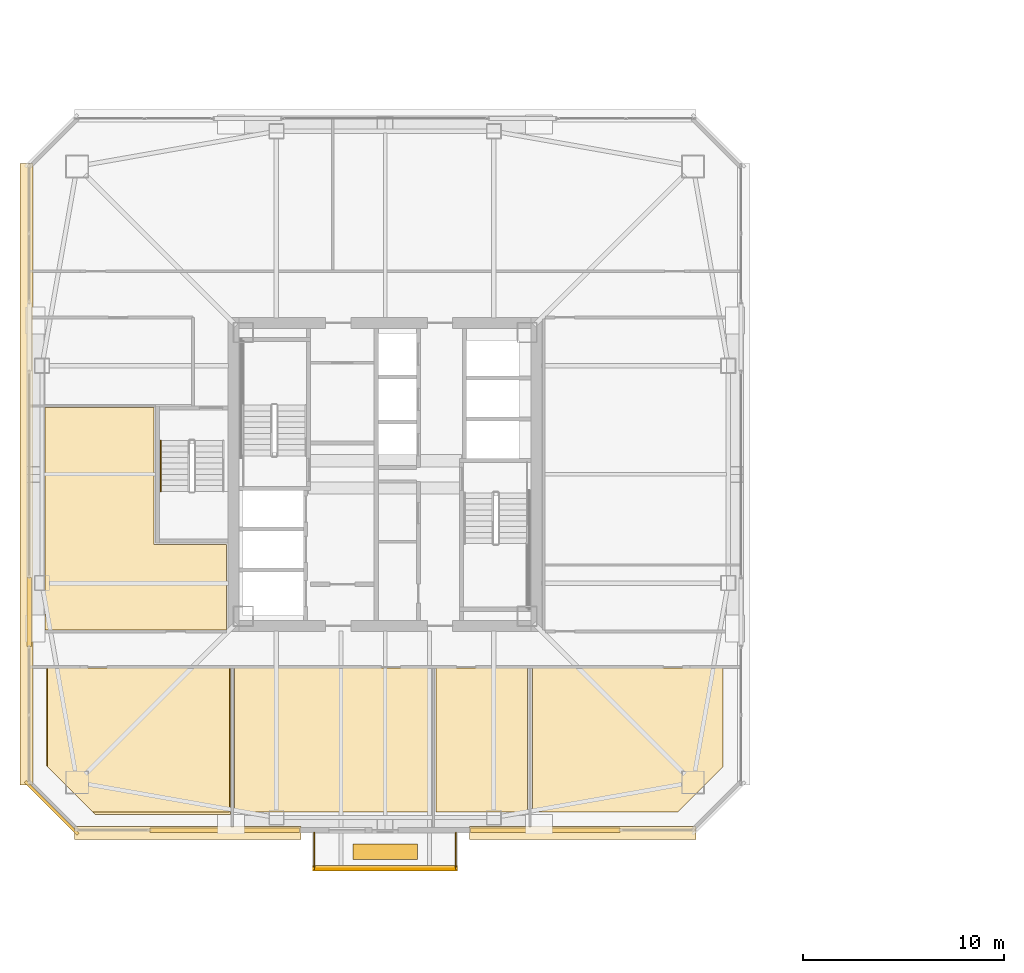
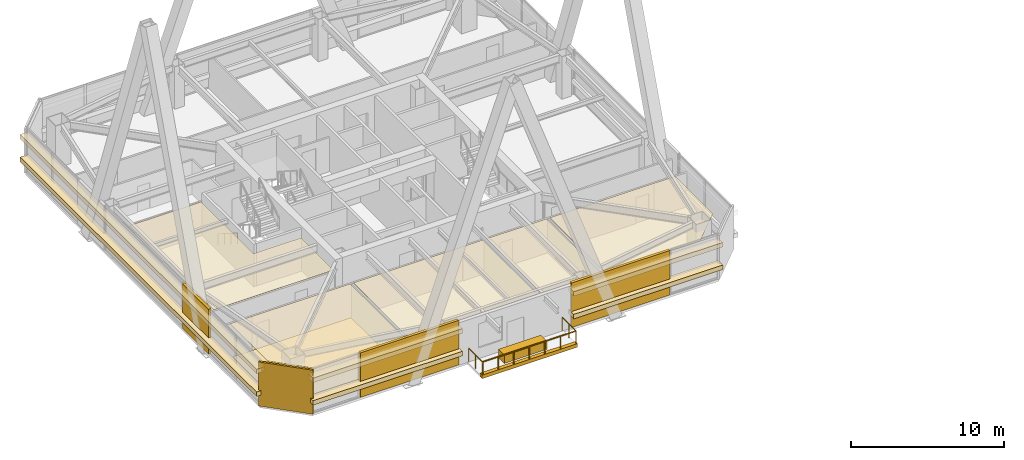
# One storey, part 50 of 55: 18 coverings, 4 railings.
"""IFC4 building model written with IfcOpenShell, lengths in metres."""

import ifcopenshell
import ifcopenshell.guid

model = None  # the IFC model being written
_history = None  # IfcOwnerHistory: only IFC2X3 demands one
_inside = {}  # id of a spatial element -> (the spatial element, [elements in it])
_under = {}  # id of a project, library or spatial element -> (it, [spatial elements below it])
_declared = {}  # id of a project -> (the project, [libraries it declares])
_typed = {}  # id of a type object -> (the type object, [elements of that type])
_made_of = {}  # id of a material, layer set ... -> (it, [elements and type objects made of it])


def new_model(schema):
    """Start an empty IFC model of exactly this schema.

    Asked for "IFC4X3", IfcOpenShell would pick the latest addendum, in which some entities
    have other attributes; the version numbers below select the first issue.
    IFC2X3 requires an IfcOwnerHistory on every rooted entity: one is made here for all.
    """
    global model, _history
    if schema == "IFC4X3":
        model = ifcopenshell.file(schema_version=(4, 3, 0, 0))
    else:
        model = ifcopenshell.file(schema=schema)
    _inside.clear()
    _under.clear()
    _declared.clear()
    _typed.clear()
    _made_of.clear()
    _history = None
    if model.schema == "IFC2X3":
        org = make("IfcOrganization", Name="unknown")
        user = make(
            "IfcPersonAndOrganization",
            ThePerson=make("IfcPerson", FamilyName="unknown"),
            TheOrganization=org,
        )
        app = make(
            "IfcApplication",
            ApplicationDeveloper=org,
            Version="unknown",
            ApplicationFullName="unknown",
            ApplicationIdentifier="unknown",
        )
        _history = make(
            "IfcOwnerHistory",
            OwningUser=user,
            OwningApplication=app,
            ChangeAction="ADDED",
            CreationDate=0,
        )
    return model


def make(cls, **values):
    """One entity of the class cls with the attributes given. An attribute that is None is left unset."""
    return model.create_entity(
        cls, **{name: value for name, value in values.items() if value is not None}
    )


def rooted(cls, **values):
    """An entity with a GlobalId (a new one), such as an element, a storey or a relation."""
    return make(cls, GlobalId=ifcopenshell.guid.new(), OwnerHistory=_history, **values)


def si_unit(unit_type, name, prefix=None):
    """IfcSIUnit, for example si_unit("LENGTHUNIT", "METRE", prefix="MILLI")."""
    return make("IfcSIUnit", UnitType=unit_type, Prefix=prefix, Name=name)


def assignment(units):
    """IfcUnitAssignment: the units of a project."""
    return None if units is None else make("IfcUnitAssignment", Units=units)


def point(xyz):
    """IfcCartesianPoint."""
    return None if xyz is None else make("IfcCartesianPoint", Coordinates=xyz)


def direction(xyz):
    """IfcDirection."""
    return None if xyz is None else make("IfcDirection", DirectionRatios=xyz)


def frame(location, z_axis=None, x_axis=None):
    """IfcAxis2Placement3D, a coordinate frame: its origin and axes. An axis left out is left unset."""
    return make(
        "IfcAxis2Placement3D",
        Location=point(location),
        Axis=direction(z_axis),
        RefDirection=direction(x_axis),
    )


def frame_2d(location, x_axis=None):
    """IfcAxis2Placement2D, a coordinate frame in the plane: its origin and x axis."""
    return make(
        "IfcAxis2Placement2D", Location=point(location), RefDirection=direction(x_axis)
    )


def origin():
    """The frame at (0, 0, 0) with its axes left unset."""
    return frame((0.0, 0.0, 0.0))


def origin_2d():
    """The frame at (0, 0) in the plane with its x axis left unset."""
    return frame_2d((0.0, 0.0))


def place(relative_to, where):
    """IfcLocalPlacement: puts the frame where relative to a parent placement (None: the world)."""
    return make(
        "IfcLocalPlacement", PlacementRelTo=relative_to, RelativePlacement=where
    )


def context(
    kind, dimensions, precision=None, world=None, true_north=None, identifier=None
):
    """IfcGeometricRepresentationContext, for example the 3D "Model" context."""
    return make(
        "IfcGeometricRepresentationContext",
        ContextIdentifier=identifier,
        ContextType=kind,
        CoordinateSpaceDimension=dimensions,
        Precision=precision,
        WorldCoordinateSystem=world,
        TrueNorth=true_north,
    )


def subcontext(parent, identifier, kind, view, scale=None):
    """IfcGeometricRepresentationSubContext, for example "Body" below "Model"."""
    return make(
        "IfcGeometricRepresentationSubContext",
        ContextIdentifier=identifier,
        ContextType=kind,
        ParentContext=parent,
        TargetScale=scale,
        TargetView=view,
    )


def project(units=None, contexts=None):
    """IfcProject with its units and contexts."""
    return rooted(
        "IfcProject",
        Name="project",
        RepresentationContexts=contexts,
        UnitsInContext=assignment(units),
    )


def spatial(cls, under=None, at=None, **own):
    """A site, building, storey or space (cls), placed at a placement, below another one or the project."""
    s = rooted(cls, ObjectPlacement=at, **own)
    if under is not None:
        _under.setdefault(under.id(), (under, []))[1].append(s)
    return s


def polyline(points):
    """IfcPolyline through the points."""
    return make("IfcPolyline", Points=[point(p) for p in points])


def profile(cls, at=None, kind="AREA", **sizes):
    """A parametric profile (cls). Its sizes go by their IFC names, for example OverallWidth=200.0."""
    return make(cls, ProfileType=kind, Position=at, **sizes)


def rectangle(**sizes):
    """IfcRectangleProfileDef."""
    return profile("IfcRectangleProfileDef", **sizes)


def outline(outer, holes=None, kind="AREA"):
    """IfcArbitraryClosedProfileDef: a profile drawn as a closed curve; with holes, ...WithVoids."""
    if holes is None:
        return make("IfcArbitraryClosedProfileDef", ProfileType=kind, OuterCurve=outer)
    return make(
        "IfcArbitraryProfileDefWithVoids",
        ProfileType=kind,
        OuterCurve=outer,
        InnerCurves=holes,
    )


def extrude(swept, where, along, depth):
    """IfcExtrudedAreaSolid: the profile swept, set in the frame where, extruded along a direction by depth."""
    return make(
        "IfcExtrudedAreaSolid",
        SweptArea=swept,
        Position=where,
        ExtrudedDirection=direction(along),
        Depth=depth,
    )


def shape(context_of_items, identifier, shape_type, items):
    """IfcShapeRepresentation: the items that make up one representation, for example the "Body"."""
    return make(
        "IfcShapeRepresentation",
        ContextOfItems=context_of_items,
        RepresentationIdentifier=identifier,
        RepresentationType=shape_type,
        Items=items,
    )


def material(Name=None, Category=None):
    """IfcMaterial."""
    return make("IfcMaterial", Name=Name, Category=Category)


def layer(
    of_material, thickness, ventilated=None, Name=None, Category=None, Priority=None
):
    """IfcMaterialLayer: one layer of a wall or slab, of a material (None: an air gap)."""
    return make(
        "IfcMaterialLayer",
        Material=of_material,
        LayerThickness=thickness,
        IsVentilated=ventilated,
        Name=Name,
        Category=Category,
        Priority=Priority,
    )


def layer_set(layers, Name=None):
    """IfcMaterialLayerSet."""
    return make("IfcMaterialLayerSet", MaterialLayers=layers, LayerSetName=Name)


def made_of(thing, what):
    """Note that an element or type object is made of a material, layer set ...; save() writes the relation."""
    if what is not None:
        _made_of.setdefault(what.id(), (what, []))[1].append(thing)
    return thing


def type_object(cls, material=None, **own):
    """A type object (cls), such as IfcWallType, which elements share."""
    return made_of(rooted(cls, **own), material)


def element(
    cls,
    number,
    at=None,
    inside=None,
    cuts=None,
    type_object=None,
    material=None,
    context=None,
    identifier="Body",
    shape_type=None,
    held_by="IfcProductDefinitionShape",
    body=None,
    shapes=None,
    **own,
):
    """One element of the class cls, such as IfcWall. Its Tag is "e" and its number.

    at: its placement. inside: the storey or other place that contains it. cuts: it is an
    opening in that element (IfcRelVoidsElement). A single representation is given by context,
    identifier, shape_type and body (its items); several are given by shapes. held_by: the class
    of the entity that holds the representations. save() writes the other relations.
    """
    e = rooted(cls, Tag="e%d" % number, ObjectPlacement=at, **own)
    if body is not None:
        shapes = [shape(context, identifier, shape_type, body)]
    if shapes is not None:
        e.Representation = make(held_by, Representations=shapes)
    if inside is not None:
        _inside.setdefault(inside.id(), (inside, []))[1].append(e)
    if cuts is not None:
        rooted(
            "IfcRelVoidsElement", RelatingBuildingElement=cuts, RelatedOpeningElement=e
        )
    if type_object is not None:
        _typed.setdefault(type_object.id(), (type_object, []))[1].append(e)
    return made_of(e, material)


def aggregate(whole, parts):
    """IfcRelAggregates: a whole, such as a stair, and the parts it consists of."""
    return rooted("IfcRelAggregates", RelatingObject=whole, RelatedObjects=parts)


def save(model, path):
    """Write the relations noted so far, then the file.

    IfcRelAggregates (storeys below a building ...), IfcRelContainedInSpatialStructure (elements
    in a storey), IfcRelDefinesByType, IfcRelAssociatesMaterial and IfcRelDeclares: one each for
    every whole, place, type object, material and project.
    """
    for whole, parts in _under.values():
        aggregate(whole, parts)
    for where, things in _inside.values():
        rooted(
            "IfcRelContainedInSpatialStructure",
            RelatedElements=things,
            RelatingStructure=where,
        )
    for kind, things in _typed.values():
        rooted("IfcRelDefinesByType", RelatedObjects=things, RelatingType=kind)
    for what, things in _made_of.values():
        rooted("IfcRelAssociatesMaterial", RelatedObjects=things, RelatingMaterial=what)
    for by, libraries in _declared.values():
        rooted("IfcRelDeclares", RelatingContext=by, RelatedDefinitions=libraries)
    model.write(path)


model = new_model("IFC4")

# Units and contexts
model_context = context("Model", 3, precision=1e-05, world=origin(), true_north=direction((0.0, 1.0)))
body_context = subcontext(model_context, "Body", "Model", "MODEL_VIEW")
ifc_project = project(units=[si_unit("LENGTHUNIT", "METRE"), si_unit("AREAUNIT", "SQUARE_METRE"), si_unit("VOLUMEUNIT", "CUBIC_METRE"), si_unit("PLANEANGLEUNIT", "RADIAN"), si_unit("MASSUNIT", "GRAM", prefix="KILO")], contexts=[model_context])

# Site, building, storey
site_placement = place(None, origin())
site = spatial("IfcSite", under=ifc_project, at=site_placement, CompositionType="ELEMENT")
building_placement = place(site_placement, origin())
building = spatial("IfcBuilding", under=site, at=building_placement, Name="Tashvorn Skyway Center", CompositionType="ELEMENT")
storey_placement = place(building_placement, frame((0.0, 0.0, 178.300048828125)))
storey = spatial("IfcBuildingStorey", under=building, at=storey_placement, Name="L48", CompositionType="ELEMENT", Elevation=178.300048828125)

# Coverings
ifc_material_1 = material(Name="Precast concrete C40/50", Category="concrete")
ifc_layer_1 = layer(ifc_material_1, 0.199951171875)
ifc_layer_set_1 = layer_set([ifc_layer_1], Name="Precast concrete C40/50")
covering_type_1 = type_object("IfcCoveringType", Name="COV-BRACE-CLAD", PredefinedType="CLADDING", material=ifc_layer_set_1)
for number, where, z_axis, x_axis, name in (
    (1, (49.9599609375, 14.320068359375, 0.0), (0.0, 0.0, 1.0), (-1.0, 0.0, 0.0), "Tower 1 L48 South Curtain Wall L Mega-Brace Cladding Band 1"),
    (2, (34.0400390625, 14.320068359375, 0.0), (0.0, 0.0, 1.0), (-1.0, 0.0, 0.0), "Tower 1 L48 South Curtain Wall R Mega-Brace Cladding Band 1"),
):
    element("IfcCovering", number, at=place(storey_placement, frame(where, z_axis=z_axis, x_axis=x_axis)), inside=storey, type_object=covering_type_1, Name=name, PredefinedType="CLADDING", context=body_context, shape_type="SweptSolid", body=[
        extrude(rectangle(XDim=7.419921875, YDim=0.199951171875, at=origin_2d()), origin(), (0.0, 0.0, 1.0), 3.550048828125),
    ])
covering_1_placement = place(storey_placement, frame((24.320068359375, 25.16455078125, 0.0), z_axis=(0.0, 0.0, 1.0), x_axis=(0.0, 1.0, 0.0)))
element("IfcCovering", 3, at=covering_1_placement, inside=storey, type_object=covering_type_1, Name="Tower 1 L48 West Unitised Curtain Wall Mega-Brace Cladding Band 1", PredefinedType="CLADDING", context=body_context, shape_type="SweptSolid", body=[
    extrude(rectangle(XDim=3.417724609375, YDim=0.199951171875, at=origin_2d()), origin(), (0.0, 0.0, 1.0), 3.550048828125),
])
ifc_material_2 = material(Name="Mineral-fibre acoustic ceiling tile on suspended grid")
ifc_layer_2 = layer(ifc_material_2, 0.02001953125)
ifc_layer_set_2 = layer_set([ifc_layer_2], Name="Mineral-fibre acoustic ceiling tile on suspended grid")
covering_type_2 = type_object("IfcCoveringType", Name="COV-CEIL-20", PredefinedType="CEILING", material=ifc_layer_set_2)
covering_2_placement = place(storey_placement, frame((0.0, 0.0, 2.702880859375)))
element("IfcCovering", 4, at=covering_2_placement, inside=storey, type_object=covering_type_2, Name="Tower 1 L48 Open Plan Office Acoustic Ceiling", PredefinedType="CEILING", context=body_context, shape_type="SweptSolid", body=[
    extrude(outline(polyline([(25.219970703125, 22.389892578125), (34.280029296875, 22.389892578125), (34.280029296875, 15.219970703125), (27.47998046875, 15.219970703125), (25.219970703125, 17.47998046875), (25.219970703125, 22.389892578125)])), origin(), (0.0, 0.0, 1.0), 0.02001953125),
])
covering_3_placement = place(storey_placement, frame((0.0, 0.0, 2.702880859375)))
element("IfcCovering", 5, at=covering_3_placement, inside=storey, type_object=covering_type_2, Name="Tower 1 L48 Boardroom Acoustic Ceiling", PredefinedType="CEILING", context=body_context, shape_type="SweptSolid", body=[
    extrude(outline(polyline([(34.52001953125, 22.389892578125), (44.280029296875, 22.389892578125), (44.280029296875, 15.219970703125), (34.52001953125, 15.219970703125), (34.52001953125, 22.389892578125)])), origin(), (0.0, 0.0, 1.0), 0.02001953125),
])
covering_4_placement = place(storey_placement, frame((0.0, 0.0, 2.702880859375)))
element("IfcCovering", 6, at=covering_4_placement, inside=storey, type_object=covering_type_2, Name="Tower 1 L48 Boardroom Acoustic Ceiling", PredefinedType="CEILING", context=body_context, shape_type="SweptSolid", body=[
    extrude(outline(polyline([(44.52001953125, 22.389892578125), (49.080078125, 22.389892578125), (49.080078125, 15.219970703125), (44.52001953125, 15.219970703125), (44.52001953125, 22.389892578125)])), origin(), (0.0, 0.0, 1.0), 0.02001953125),
])
covering_5_placement = place(storey_placement, frame((0.0, 0.0, 2.702880859375)))
element("IfcCovering", 7, at=covering_5_placement, inside=storey, type_object=covering_type_2, Name="Tower 1 L48 Staff Fitness Club Acoustic Ceiling", PredefinedType="CEILING", context=body_context, shape_type="SweptSolid", body=[
    extrude(outline(polyline([(49.320068359375, 15.219970703125), (49.320068359375, 22.389892578125), (58.780029296875, 22.389892578125), (58.780029296875, 17.47998046875), (56.52001953125, 15.219970703125), (49.320068359375, 15.219970703125)])), origin(), (0.0, 0.0, 1.0), 0.02001953125),
])
covering_6_placement = place(storey_placement, frame((0.0, 0.0, 2.702880859375)))
element("IfcCovering", 8, at=covering_6_placement, inside=storey, type_object=covering_type_2, Name="Tower 1 L48 Public Restroom Acoustic Ceiling", PredefinedType="CEILING", context=body_context, shape_type="SweptSolid", body=[
    extrude(outline(polyline([(34.1201171875, 24.280029296875), (25.10009765625, 24.280029296875), (25.10009765625, 28.52001953125), (25.10009765625, 35.320068359375), (30.52001953125, 35.320068359375), (30.52001953125, 28.52001953125), (34.1201171875, 28.52001953125), (34.1201171875, 24.280029296875)])), origin(), (0.0, 0.0, 1.0), 0.02001953125),
])
ifc_material_3 = material(Name="Polished Mojave desert-aggregate terrazzo and cover plate")
ifc_layer_3 = layer(ifc_material_3, 0.0400390625)
ifc_layer_set_3 = layer_set([ifc_layer_3], Name="Polished Mojave desert-aggregate terrazzo and cover plate")
covering_type_3 = type_object("IfcCoveringType", Name="COV-FLR-40", PredefinedType="FLOORING", material=ifc_layer_set_3)
covering_7_placement = place(storey_placement, origin())
element("IfcCovering", 9, at=covering_7_placement, inside=storey, type_object=covering_type_3, Name="Tower 1 L48 Open Plan Office Finish Flooring", PredefinedType="FLOORING", context=body_context, shape_type="SweptSolid", body=[
    extrude(outline(polyline([(27.60009765625, 15.10009765625), (25.179931640625, 17.52001953125), (25.179931640625, 22.35009765625), (34.320068359375, 22.35009765625), (34.320068359375, 15.10009765625), (27.60009765625, 15.10009765625)])), origin(), (0.0, 0.0, 1.0), 0.0400390625),
])
ifc_material_4 = material(Name="Perforated ceramic-coated bronze aluminium solar screen", Category="aluminium")
ifc_layer_4 = layer(ifc_material_4, 0.85009765625)
ifc_layer_set_4 = layer_set([ifc_layer_4], Name="Perforated ceramic-coated bronze aluminium solar screen")
covering_type_4 = type_object("IfcCoveringType", Name="COV-SOLAR-BAND", PredefinedType="CLADDING", material=ifc_layer_set_4)
for number, where, z_axis, x_axis, name in (
    (10, (51.81494140625, 14.179931640625, 0.919921875), (0.0, 0.0, 1.0), (-1.0, 0.0, 0.0), "L48 Perforated Ceramic-Metal Solar Screen Louvre Band South 1"),
    (11, (51.81494140625, 14.179931640625, 2.7197265625), (0.0, 0.0, 1.0), (-1.0, 0.0, 0.0), "L48 Perforated Ceramic-Metal Solar Screen Louvre Band South 2"),
    (12, (32.18505859375, 14.179931640625, 0.919921875), (0.0, 0.0, 1.0), (-1.0, 0.0, 0.0), "L48 Perforated Ceramic-Metal Solar Screen Louvre Band South 1"),
    (13, (32.18505859375, 14.179931640625, 2.7197265625), (0.0, 0.0, 1.0), (-1.0, 0.0, 0.0), "L48 Perforated Ceramic-Metal Solar Screen Louvre Band South 2"),
):
    element("IfcCovering", number, at=place(storey_placement, frame(where, z_axis=z_axis, x_axis=x_axis)), inside=storey, type_object=covering_type_4, Name=name, PredefinedType="CLADDING", context=body_context, shape_type="SweptSolid", body=[
        extrude(rectangle(XDim=11.25, YDim=0.639892578125, at=origin_2d()), origin(), (0.0, 0.0, 1.0), 0.360107421875),
    ])
for number, where, z_axis, x_axis, name in (
    (14, (24.179931640625, 32.0, 0.919921875), (0.0, 0.0, 1.0), (0.0, 1.0, 0.0), "L48 Perforated Ceramic-Metal Solar Screen Louvre Band West 1"),
    (15, (24.179931640625, 32.0, 2.7197265625), (0.0, 0.0, 1.0), (0.0, 1.0, 0.0), "L48 Perforated Ceramic-Metal Solar Screen Louvre Band West 2"),
):
    element("IfcCovering", number, at=place(storey_placement, frame(where, z_axis=z_axis, x_axis=x_axis)), inside=storey, type_object=covering_type_4, Name=name, PredefinedType="CLADDING", context=body_context, shape_type="SweptSolid", body=[
        extrude(rectangle(XDim=30.8798828125, YDim=0.639892578125, at=origin_2d()), origin(), (0.0, 0.0, 1.0), 0.360107421875),
    ])
ifc_layer_5 = layer(ifc_material_1, 0.35009765625)
ifc_layer_set_5 = layer_set([ifc_layer_5], Name="Precast concrete C40/50")
covering_type_5 = type_object("IfcCoveringType", Name="COV-STONE-TRIM", PredefinedType="CLADDING", material=ifc_layer_set_5)
covering_8_placement = place(storey_placement, frame((42.0, 12.43994140625, -0.16015625), z_axis=(0.0, 0.0, 1.0), x_axis=(-1.0, 0.0, 0.0)))
element("IfcCovering", 16, at=covering_8_placement, inside=storey, type_object=covering_type_5, Name="Tower 1 L48 Spiral Terrace Terracotta Fascia", PredefinedType="CLADDING", context=body_context, shape_type="SweptSolid", body=[
    extrude(rectangle(XDim=7.199951171875, YDim=0.280029296875, at=origin_2d()), origin(), (0.0, 0.0, 1.0), 0.280029296875),
])
covering_9_placement = place(storey_placement, frame((42.0, 13.25, 0.0), z_axis=(0.0, 0.0, 1.0), x_axis=(-1.0, 0.0, 0.0)))
element("IfcCovering", 17, at=covering_9_placement, inside=storey, type_object=covering_type_5, Name="Tower 1 L48 Spiral Terrace Planter", PredefinedType="CLADDING", context=body_context, shape_type="SweptSolid", body=[
    extrude(rectangle(XDim=3.199951171875, YDim=0.75, at=origin_2d()), origin(), (0.0, 0.0, 1.0), 0.679931640625),
])
covering_10_placement = place(storey_placement, frame((25.429931640625, 15.429931640625, 0.02001953125), z_axis=(0.0, 0.0, 1.0), x_axis=(-0.707106781187, 0.707106781187, 0.0)))
element("IfcCovering", 18, at=covering_10_placement, inside=storey, type_object=covering_type_5, Name="Tower 1 L48 SW Mojave Limestone Corner Quoin", PredefinedType="CLADDING", context=body_context, shape_type="SweptSolid", body=[
    extrude(rectangle(XDim=3.695556640625, YDim=0.139892578125, at=origin_2d()), origin(), (0.0, 0.0, 1.0), 3.510009765625),
])

# Railings
ifc_material_5 = material(Name="Galvanized steel S355", Category="steel")
railing_type_1 = type_object("IfcRailingType", Name="RAIL-GUARD-1120", PredefinedType="GUARDRAIL", material=ifc_material_5)
railing_1_placement = place(storey_placement, frame((38.47998046875, 14.199951171875, 0.0)))
element("IfcRailing", 19, at=railing_1_placement, inside=storey, type_object=railing_type_1, Name="L48 Tower 1 Terrace Guardrail 01", PredefinedType="GUARDRAIL", context=body_context, shape_type="SweptSolid", body=[
    extrude(rectangle(XDim=0.048095703125, YDim=0.048095703125, at=origin_2d()), frame((0.0, 0.0, 1.09619140625), z_axis=(0.0, -1.0, 0.0), x_axis=(1.0, 0.0, 0.0)), (0.0, 0.0, 1.0), 1.820068359375),
    extrude(rectangle(XDim=0.0419921875, YDim=0.0419921875, at=origin_2d()), origin(), (0.0, 0.0, 1.0), 1.072021484375),
    extrude(rectangle(XDim=0.0419921875, YDim=0.0419921875, at=origin_2d()), frame((0.0, -0.91015625, 0.0)), (0.0, 0.0, 1.0), 1.072021484375),
    extrude(rectangle(XDim=0.0419921875, YDim=0.0419921875, at=origin_2d()), frame((0.0, -1.820068359375, 0.0)), (0.0, 0.0, 1.0), 1.072021484375),
])
railing_2_placement = place(storey_placement, frame((38.47998046875, 12.3798828125, 0.0)))
element("IfcRailing", 20, at=railing_2_placement, inside=storey, type_object=railing_type_1, Name="L48 Tower 1 Terrace Guardrail 02", PredefinedType="GUARDRAIL", context=body_context, shape_type="SweptSolid", body=[
    extrude(rectangle(XDim=0.048095703125, YDim=0.048095703125, at=origin_2d()), frame((0.0, 0.0, 1.09619140625), z_axis=(1.0, 0.0, 0.0), x_axis=(0.0, 1.0, 0.0)), (0.0, 0.0, 1.0), 7.0400390625),
    extrude(rectangle(XDim=0.0419921875, YDim=0.0419921875, at=origin_2d()), origin(), (0.0, 0.0, 1.0), 1.072021484375),
    extrude(rectangle(XDim=0.0419921875, YDim=0.0419921875, at=origin_2d()), frame((1.17333984375, 0.0, 0.0)), (0.0, 0.0, 1.0), 1.072021484375),
    extrude(rectangle(XDim=0.0419921875, YDim=0.0419921875, at=origin_2d()), frame((2.3466796875, 0.0, 0.0)), (0.0, 0.0, 1.0), 1.072021484375),
    extrude(rectangle(XDim=0.0419921875, YDim=0.0419921875, at=origin_2d()), frame((3.52001953125, 0.0, 0.0)), (0.0, 0.0, 1.0), 1.072021484375),
    extrude(rectangle(XDim=0.0419921875, YDim=0.0419921875, at=origin_2d()), frame((4.693359375, 0.0, 0.0)), (0.0, 0.0, 1.0), 1.072021484375),
    extrude(rectangle(XDim=0.0419921875, YDim=0.0419921875, at=origin_2d()), frame((5.86669921875, 0.0, 0.0)), (0.0, 0.0, 1.0), 1.072021484375),
    extrude(rectangle(XDim=0.0419921875, YDim=0.0419921875, at=origin_2d()), frame((7.0400390625, 0.0, 0.0)), (0.0, 0.0, 1.0), 1.072021484375),
])
railing_3_placement = place(storey_placement, frame((45.52001953125, 12.3798828125, 0.0)))
element("IfcRailing", 21, at=railing_3_placement, inside=storey, type_object=railing_type_1, Name="L48 Tower 1 Terrace Guardrail 03", PredefinedType="GUARDRAIL", context=body_context, shape_type="SweptSolid", body=[
    extrude(rectangle(XDim=0.048095703125, YDim=0.048095703125, at=origin_2d()), frame((0.0, 0.0, 1.09619140625), z_axis=(0.0, 1.0, 0.0), x_axis=(-1.0, 0.0, 0.0)), (0.0, 0.0, 1.0), 1.820068359375),
    extrude(rectangle(XDim=0.0419921875, YDim=0.0419921875, at=origin_2d()), origin(), (0.0, 0.0, 1.0), 1.072021484375),
    extrude(rectangle(XDim=0.0419921875, YDim=0.0419921875, at=origin_2d()), frame((0.0, 0.91015625, 0.0)), (0.0, 0.0, 1.0), 1.072021484375),
    extrude(rectangle(XDim=0.0419921875, YDim=0.0419921875, at=origin_2d()), frame((0.0, 1.820068359375, 0.0)), (0.0, 0.0, 1.0), 1.072021484375),
])
ifc_material_6 = material(Name="Brushed stainless steel 316", Category="steel")
railing_type_2 = type_object("IfcRailingType", Name="RAIL-HAND-920", PredefinedType="HANDRAIL", material=ifc_material_6)
railing_4_placement = place(storey_placement, frame((30.85009765625, 33.679931640625, 0.177490234375)))
element("IfcRailing", 22, at=railing_4_placement, inside=storey, type_object=railing_type_2, Name="L48 ST-T1-3 stair handrail 1", PredefinedType="HANDRAIL", context=body_context, shape_type="SweptSolid", body=[
    extrude(rectangle(XDim=0.048095703125, YDim=0.048095703125, at=origin_2d()), frame((0.0, 0.0, 0.8759765625), z_axis=(0.0, -0.84460694969, 0.535386869969), x_axis=(1.0, 0.0, 0.0)), (0.0, 0.0, 1.0), 2.983642578125),
    extrude(rectangle(XDim=0.0419921875, YDim=0.0419921875, at=origin_2d()), origin(), (0.0, 0.0, 1.0), 0.851806640625),
    extrude(rectangle(XDim=0.0419921875, YDim=0.0419921875, at=origin_2d()), frame((0.0, -0.840087890625, 0.532470703125)), (0.0, 0.0, 1.0), 0.851806640625),
    extrude(rectangle(XDim=0.0419921875, YDim=0.0419921875, at=origin_2d()), frame((0.0, -1.679931640625, 1.06494140625)), (0.0, 0.0, 1.0), 0.851806640625),
    extrude(rectangle(XDim=0.0419921875, YDim=0.0419921875, at=origin_2d()), frame((0.0, -2.52001953125, 1.597412109375)), (0.0, 0.0, 1.0), 0.851806640625),
])

save(model, "model.ifc")
